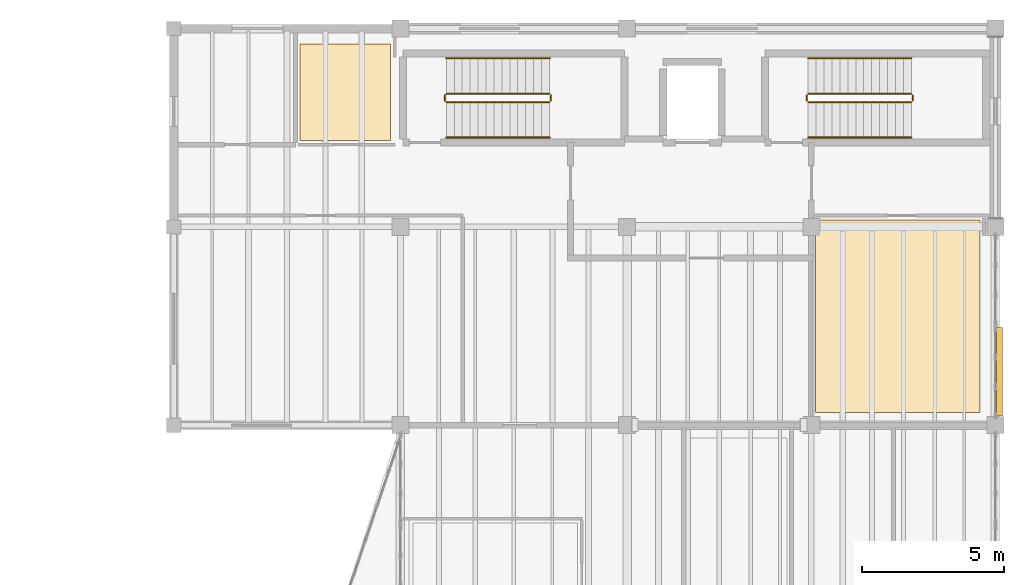
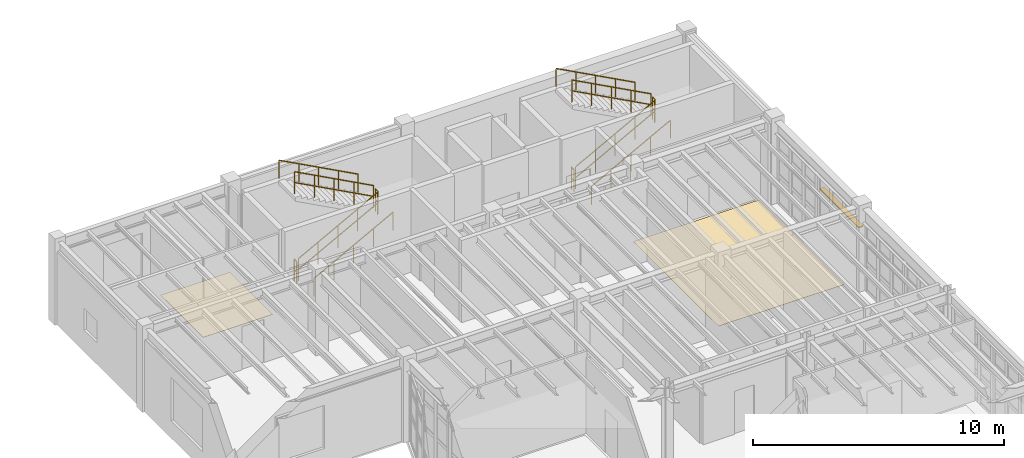
# One storey, part 77 of 77: 12 railings, 2 coverings, 1 shading device.
"""IFC4 building model written with IfcOpenShell, lengths in metres."""

from ifc_helpers import new_model, si_unit, direction, frame, origin, origin_2d, place, context, subcontext, project, spatial, polyline, rectangle, circle, outline, extrude, material, layer, layer_set, type_object, element, save


model = new_model("IFC4")

# Units and contexts
model_context = context("Model", 3, precision=1e-05, world=origin(), true_north=direction((0.0, 1.0)))
body_context = subcontext(model_context, "Body", "Model", "MODEL_VIEW")
ifc_project = project(units=[si_unit("LENGTHUNIT", "METRE"), si_unit("AREAUNIT", "SQUARE_METRE"), si_unit("VOLUMEUNIT", "CUBIC_METRE"), si_unit("PLANEANGLEUNIT", "RADIAN"), si_unit("MASSUNIT", "GRAM", prefix="KILO"), si_unit("THERMODYNAMICTEMPERATUREUNIT", "KELVIN"), si_unit("POWERUNIT", "WATT")], contexts=[model_context])

# Site, building, storey
site_placement = place(None, origin())
site = spatial("IfcSite", under=ifc_project, at=site_placement, CompositionType="ELEMENT")
building_placement = place(site_placement, origin())
building = spatial("IfcBuilding", under=site, at=building_placement, Name="Zhenchuan Central Fire Station", CompositionType="ELEMENT")
storey_placement = place(building_placement, frame((0.0, 0.0, 10.050048828125)))
storey = spatial("IfcBuildingStorey", under=building, at=storey_placement, Name="L03", CompositionType="ELEMENT", Elevation=10.050048828125)

# Coverings
ifc_material_1 = material(Name="Heavy-duty slip-resistant ceramic tile flooring")
ifc_layer_1 = layer(ifc_material_1, 0.014892578125, Name="Heavy-duty slip-resistant ceramic tile flooring")
ifc_layer_set_1 = layer_set([ifc_layer_1], Name="Heavy-duty slip-resistant ceramic tile flooring")
covering_type = type_object("IfcCoveringType", Name="COV-FLR-RES", PredefinedType="FLOORING", material=ifc_layer_set_1)
covering_1_placement = place(storey_placement, origin())
element("IfcCovering", 1, at=covering_1_placement, inside=storey, type_object=covering_type, Name="Standpipe Riser Tactical Bay Ceramic Tile Flooring", PredefinedType="FLOORING", context=body_context, shape_type="SweptSolid", body=[
    extrude(outline(polyline([(154.64990234375, 42.949951171875), (160.449951171875, 42.949951171875), (160.449951171875, 49.75), (154.64990234375, 49.75), (154.64990234375, 42.949951171875)])), origin(), (0.0, 0.0, 1.0), 0.014892578125),
])
covering_2_placement = place(storey_placement, origin())
element("IfcCovering", 2, at=covering_2_placement, inside=storey, type_object=covering_type, Name="Drill Tower Cleaner Store L03 Ceramic Tile Flooring", PredefinedType="FLOORING", context=body_context, shape_type="SweptSolid", body=[
    extrude(outline(polyline([(136.449951171875, 52.550048828125), (139.64990234375, 52.550048828125), (139.64990234375, 55.949951171875), (136.449951171875, 55.949951171875), (136.449951171875, 52.550048828125)])), origin(), (0.0, 0.0, 1.0), 0.014892578125),
])

# Railings
ifc_material_2 = material(Name="Galvanised powder-coated steel", Category="steel")
railing_type_1 = type_object("IfcRailingType", Name="RL-ST-GRD", PredefinedType="GUARDRAIL", material=ifc_material_2)
railing_1_placement = place(storey_placement, frame((141.6201171875, 53.89990234375, 0.14990234375)))
element("IfcRailing", 3, at=railing_1_placement, inside=storey, type_object=railing_type_1, Name="L03 ST-12 stair guard 1", PredefinedType="GUARDRAIL", context=body_context, shape_type="SweptSolid", body=[
    extrude(circle(Radius=0.02392578125, at=origin_2d()), frame((0.0, 0.0, 1.076171875), z_axis=(0.881479091078, 0.0, 0.472223053219), x_axis=(0.0, 1.0, 0.0)), (0.0, 0.0, 1.0), 4.12939453125),
    extrude(circle(Radius=0.02392578125, at=origin_2d()), frame((0.0, 0.0, 0.550048828125), z_axis=(0.881479091078, 0.0, 0.472223053219), x_axis=(0.0, 1.0, 0.0)), (0.0, 0.0, 1.0), 4.12939453125),
    extrude(circle(Radius=0.02099609375, at=origin_2d()), origin(), (0.0, 0.0, 1.0), 1.052001953125),
    extrude(circle(Radius=0.02099609375, at=origin_2d()), frame((0.909912109375, 0.0, 0.487548828125)), (0.0, 0.0, 1.0), 1.052001953125),
    extrude(circle(Radius=0.02099609375, at=origin_2d()), frame((1.81982421875, 0.0, 0.97509765625)), (0.0, 0.0, 1.0), 1.052001953125),
    extrude(circle(Radius=0.02099609375, at=origin_2d()), frame((2.72998046875, 0.0, 1.46240234375)), (0.0, 0.0, 1.0), 1.052001953125),
    extrude(circle(Radius=0.02099609375, at=origin_2d()), frame((3.639892578125, 0.0, 1.949951171875)), (0.0, 0.0, 1.0), 1.052001953125),
])
railing_2_placement = place(storey_placement, frame((145.31005859375, 53.949951171875, 2.099853515625)))
element("IfcRailing", 4, at=railing_2_placement, inside=storey, type_object=railing_type_1, Name="L03 ST-12 stair guard 2", PredefinedType="GUARDRAIL", context=body_context, shape_type="SweptSolid", body=[
    extrude(circle(Radius=0.02392578125, at=origin_2d()), frame((0.0, 0.0, 1.076171875), z_axis=(0.0, 1.0, 0.0), x_axis=(-1.0, 0.0, 0.0)), (0.0, 0.0, 1.0), 0.199951171875),
    extrude(circle(Radius=0.02392578125, at=origin_2d()), frame((0.0, 0.0, 0.550048828125), z_axis=(0.0, 1.0, 0.0), x_axis=(-1.0, 0.0, 0.0)), (0.0, 0.0, 1.0), 0.199951171875),
    extrude(circle(Radius=0.02099609375, at=origin_2d()), origin(), (0.0, 0.0, 1.0), 1.052001953125),
    extrude(circle(Radius=0.02099609375, at=origin_2d()), frame((0.0, 0.199951171875, 0.0)), (0.0, 0.0, 1.0), 1.052001953125),
])
railing_3_placement = place(storey_placement, frame((145.260009765625, 54.199951171875, 2.25)))
element("IfcRailing", 5, at=railing_3_placement, inside=storey, type_object=railing_type_1, Name="L03 ST-12 stair guard 3", PredefinedType="GUARDRAIL", context=body_context, shape_type="SweptSolid", body=[
    extrude(circle(Radius=0.02392578125, at=origin_2d()), frame((0.0, 0.0, 1.076171875), z_axis=(-0.881479091078, 0.0, 0.472223053219), x_axis=(0.0, -1.0, 0.0)), (0.0, 0.0, 1.0), 4.12939453125),
    extrude(circle(Radius=0.02392578125, at=origin_2d()), frame((0.0, 0.0, 0.550048828125), z_axis=(-0.881479091078, 0.0, 0.472223053219), x_axis=(0.0, -1.0, 0.0)), (0.0, 0.0, 1.0), 4.12939453125),
    extrude(circle(Radius=0.02099609375, at=origin_2d()), origin(), (0.0, 0.0, 1.0), 1.052001953125),
    extrude(circle(Radius=0.02099609375, at=origin_2d()), frame((-0.909912109375, 0.0, 0.487548828125)), (0.0, 0.0, 1.0), 1.052001953125),
    extrude(circle(Radius=0.02099609375, at=origin_2d()), frame((-1.81982421875, 0.0, 0.97509765625)), (0.0, 0.0, 1.0), 1.052001953125),
    extrude(circle(Radius=0.02099609375, at=origin_2d()), frame((-2.72998046875, 0.0, 1.46240234375)), (0.0, 0.0, 1.0), 1.052001953125),
    extrude(circle(Radius=0.02099609375, at=origin_2d()), frame((-3.639892578125, 0.0, 1.949951171875)), (0.0, 0.0, 1.0), 1.052001953125),
])
railing_4_placement = place(storey_placement, frame((141.570068359375, 53.949951171875, 0.0)))
element("IfcRailing", 6, at=railing_4_placement, inside=storey, type_object=railing_type_1, Name="L03 ST-12 stair guard 4", PredefinedType="GUARDRAIL", context=body_context, shape_type="SweptSolid", body=[
    extrude(circle(Radius=0.02392578125, at=origin_2d()), frame((0.0, 0.0, 1.076171875), z_axis=(0.0, 1.0, 0.0), x_axis=(-1.0, 0.0, 0.0)), (0.0, 0.0, 1.0), 0.199951171875),
    extrude(circle(Radius=0.02392578125, at=origin_2d()), frame((0.0, 0.0, 0.550048828125), z_axis=(0.0, 1.0, 0.0), x_axis=(-1.0, 0.0, 0.0)), (0.0, 0.0, 1.0), 0.199951171875),
    extrude(circle(Radius=0.02099609375, at=origin_2d()), origin(), (0.0, 0.0, 1.0), 1.052001953125),
    extrude(circle(Radius=0.02099609375, at=origin_2d()), frame((0.0, 0.199951171875, 0.0)), (0.0, 0.0, 1.0), 1.052001953125),
])
railing_5_placement = place(storey_placement, frame((154.389892578125, 53.89990234375, 0.14990234375)))
element("IfcRailing", 7, at=railing_5_placement, inside=storey, type_object=railing_type_1, Name="L03 ST-13 stair guard 1", PredefinedType="GUARDRAIL", context=body_context, shape_type="SweptSolid", body=[
    extrude(circle(Radius=0.02392578125, at=origin_2d()), frame((0.0, 0.0, 1.076171875), z_axis=(0.881492274372, 0.0, 0.472198443689), x_axis=(0.0, 1.0, 0.0)), (0.0, 0.0, 1.0), 4.12939453125),
    extrude(circle(Radius=0.02392578125, at=origin_2d()), frame((0.0, 0.0, 0.550048828125), z_axis=(0.881492274372, 0.0, 0.472198443689), x_axis=(0.0, 1.0, 0.0)), (0.0, 0.0, 1.0), 4.12939453125),
    extrude(circle(Radius=0.02099609375, at=origin_2d()), origin(), (0.0, 0.0, 1.0), 1.052001953125),
    extrude(circle(Radius=0.02099609375, at=origin_2d()), frame((0.91015625, 0.0, 0.487548828125)), (0.0, 0.0, 1.0), 1.052001953125),
    extrude(circle(Radius=0.02099609375, at=origin_2d()), frame((1.820068359375, 0.0, 0.97509765625)), (0.0, 0.0, 1.0), 1.052001953125),
    extrude(circle(Radius=0.02099609375, at=origin_2d()), frame((2.72998046875, 0.0, 1.46240234375)), (0.0, 0.0, 1.0), 1.052001953125),
    extrude(circle(Radius=0.02099609375, at=origin_2d()), frame((3.64013671875, 0.0, 1.949951171875)), (0.0, 0.0, 1.0), 1.052001953125),
])
railing_6_placement = place(storey_placement, frame((158.080078125, 53.949951171875, 2.099853515625)))
element("IfcRailing", 8, at=railing_6_placement, inside=storey, type_object=railing_type_1, Name="L03 ST-13 stair guard 2", PredefinedType="GUARDRAIL", context=body_context, shape_type="SweptSolid", body=[
    extrude(circle(Radius=0.02392578125, at=origin_2d()), frame((0.0, 0.0, 1.076171875), z_axis=(0.0, 1.0, 0.0), x_axis=(-1.0, 0.0, 0.0)), (0.0, 0.0, 1.0), 0.199951171875),
    extrude(circle(Radius=0.02392578125, at=origin_2d()), frame((0.0, 0.0, 0.550048828125), z_axis=(0.0, 1.0, 0.0), x_axis=(-1.0, 0.0, 0.0)), (0.0, 0.0, 1.0), 0.199951171875),
    extrude(circle(Radius=0.02099609375, at=origin_2d()), origin(), (0.0, 0.0, 1.0), 1.052001953125),
    extrude(circle(Radius=0.02099609375, at=origin_2d()), frame((0.0, 0.199951171875, 0.0)), (0.0, 0.0, 1.0), 1.052001953125),
])
railing_7_placement = place(storey_placement, frame((158.030029296875, 54.199951171875, 2.25)))
element("IfcRailing", 9, at=railing_7_placement, inside=storey, type_object=railing_type_1, Name="L03 ST-13 stair guard 3", PredefinedType="GUARDRAIL", context=body_context, shape_type="SweptSolid", body=[
    extrude(circle(Radius=0.02392578125, at=origin_2d()), frame((0.0, 0.0, 1.076171875), z_axis=(-0.881492274372, 0.0, 0.472198443689), x_axis=(0.0, -1.0, 0.0)), (0.0, 0.0, 1.0), 4.12939453125),
    extrude(circle(Radius=0.02392578125, at=origin_2d()), frame((0.0, 0.0, 0.550048828125), z_axis=(-0.881492274372, 0.0, 0.472198443689), x_axis=(0.0, -1.0, 0.0)), (0.0, 0.0, 1.0), 4.12939453125),
    extrude(circle(Radius=0.02099609375, at=origin_2d()), origin(), (0.0, 0.0, 1.0), 1.052001953125),
    extrude(circle(Radius=0.02099609375, at=origin_2d()), frame((-0.91015625, 0.0, 0.487548828125)), (0.0, 0.0, 1.0), 1.052001953125),
    extrude(circle(Radius=0.02099609375, at=origin_2d()), frame((-1.820068359375, 0.0, 0.97509765625)), (0.0, 0.0, 1.0), 1.052001953125),
    extrude(circle(Radius=0.02099609375, at=origin_2d()), frame((-2.72998046875, 0.0, 1.46240234375)), (0.0, 0.0, 1.0), 1.052001953125),
    extrude(circle(Radius=0.02099609375, at=origin_2d()), frame((-3.64013671875, 0.0, 1.949951171875)), (0.0, 0.0, 1.0), 1.052001953125),
])
railing_8_placement = place(storey_placement, frame((154.340087890625, 53.949951171875, 0.0)))
element("IfcRailing", 10, at=railing_8_placement, inside=storey, type_object=railing_type_1, Name="L03 ST-13 stair guard 4", PredefinedType="GUARDRAIL", context=body_context, shape_type="SweptSolid", body=[
    extrude(circle(Radius=0.02392578125, at=origin_2d()), frame((0.0, 0.0, 1.076171875), z_axis=(0.0, 1.0, 0.0), x_axis=(-1.0, 0.0, 0.0)), (0.0, 0.0, 1.0), 0.199951171875),
    extrude(circle(Radius=0.02392578125, at=origin_2d()), frame((0.0, 0.0, 0.550048828125), z_axis=(0.0, 1.0, 0.0), x_axis=(-1.0, 0.0, 0.0)), (0.0, 0.0, 1.0), 0.199951171875),
    extrude(circle(Radius=0.02099609375, at=origin_2d()), origin(), (0.0, 0.0, 1.0), 1.052001953125),
    extrude(circle(Radius=0.02099609375, at=origin_2d()), frame((0.0, 0.199951171875, 0.0)), (0.0, 0.0, 1.0), 1.052001953125),
])
ifc_material_3 = material(Name="Brushed stainless steel handrail", Category="steel")
railing_type_2 = type_object("IfcRailingType", Name="RL-ST-HND", PredefinedType="HANDRAIL", material=ifc_material_3)
railing_9_placement = place(storey_placement, frame((141.6201171875, 52.64990234375, 0.14990234375)))
element("IfcRailing", 11, at=railing_9_placement, inside=storey, type_object=railing_type_2, Name="L03 ST-12 stair handrail 1", PredefinedType="HANDRAIL", context=body_context, shape_type="SweptSolid", body=[
    extrude(circle(Radius=0.02392578125, at=origin_2d()), frame((0.0, 0.0, 0.8759765625), z_axis=(0.881479091078, 0.0, 0.472223053219), x_axis=(0.0, 1.0, 0.0)), (0.0, 0.0, 1.0), 4.12939453125),
    extrude(circle(Radius=0.02099609375, at=origin_2d()), origin(), (0.0, 0.0, 1.0), 0.851806640625),
    extrude(circle(Radius=0.02099609375, at=origin_2d()), frame((0.909912109375, 0.0, 0.487548828125)), (0.0, 0.0, 1.0), 0.851806640625),
    extrude(circle(Radius=0.02099609375, at=origin_2d()), frame((1.81982421875, 0.0, 0.97509765625)), (0.0, 0.0, 1.0), 0.851806640625),
    extrude(circle(Radius=0.02099609375, at=origin_2d()), frame((2.72998046875, 0.0, 1.46240234375)), (0.0, 0.0, 1.0), 0.851806640625),
    extrude(circle(Radius=0.02099609375, at=origin_2d()), frame((3.639892578125, 0.0, 1.949951171875)), (0.0, 0.0, 1.0), 0.851806640625),
])
railing_10_placement = place(storey_placement, frame((145.260009765625, 55.449951171875, 2.25)))
element("IfcRailing", 12, at=railing_10_placement, inside=storey, type_object=railing_type_2, Name="L03 ST-12 stair handrail 2", PredefinedType="HANDRAIL", context=body_context, shape_type="SweptSolid", body=[
    extrude(circle(Radius=0.02392578125, at=origin_2d()), frame((0.0, 0.0, 0.8759765625), z_axis=(-0.881479091078, 0.0, 0.472223053219), x_axis=(0.0, -1.0, 0.0)), (0.0, 0.0, 1.0), 4.12939453125),
    extrude(circle(Radius=0.02099609375, at=origin_2d()), origin(), (0.0, 0.0, 1.0), 0.851806640625),
    extrude(circle(Radius=0.02099609375, at=origin_2d()), frame((-0.909912109375, 0.0, 0.487548828125)), (0.0, 0.0, 1.0), 0.851806640625),
    extrude(circle(Radius=0.02099609375, at=origin_2d()), frame((-1.81982421875, 0.0, 0.97509765625)), (0.0, 0.0, 1.0), 0.851806640625),
    extrude(circle(Radius=0.02099609375, at=origin_2d()), frame((-2.72998046875, 0.0, 1.46240234375)), (0.0, 0.0, 1.0), 0.851806640625),
    extrude(circle(Radius=0.02099609375, at=origin_2d()), frame((-3.639892578125, 0.0, 1.949951171875)), (0.0, 0.0, 1.0), 0.851806640625),
])
railing_11_placement = place(storey_placement, frame((154.389892578125, 52.64990234375, 0.14990234375)))
element("IfcRailing", 13, at=railing_11_placement, inside=storey, type_object=railing_type_2, Name="L03 ST-13 stair handrail 1", PredefinedType="HANDRAIL", context=body_context, shape_type="SweptSolid", body=[
    extrude(circle(Radius=0.02392578125, at=origin_2d()), frame((0.0, 0.0, 0.8759765625), z_axis=(0.881492274372, 0.0, 0.472198443689), x_axis=(0.0, 1.0, 0.0)), (0.0, 0.0, 1.0), 4.12939453125),
    extrude(circle(Radius=0.02099609375, at=origin_2d()), origin(), (0.0, 0.0, 1.0), 0.851806640625),
    extrude(circle(Radius=0.02099609375, at=origin_2d()), frame((0.91015625, 0.0, 0.487548828125)), (0.0, 0.0, 1.0), 0.851806640625),
    extrude(circle(Radius=0.02099609375, at=origin_2d()), frame((1.820068359375, 0.0, 0.97509765625)), (0.0, 0.0, 1.0), 0.851806640625),
    extrude(circle(Radius=0.02099609375, at=origin_2d()), frame((2.72998046875, 0.0, 1.46240234375)), (0.0, 0.0, 1.0), 0.851806640625),
    extrude(circle(Radius=0.02099609375, at=origin_2d()), frame((3.64013671875, 0.0, 1.949951171875)), (0.0, 0.0, 1.0), 0.851806640625),
])
railing_12_placement = place(storey_placement, frame((158.030029296875, 55.449951171875, 2.25)))
element("IfcRailing", 14, at=railing_12_placement, inside=storey, type_object=railing_type_2, Name="L03 ST-13 stair handrail 2", PredefinedType="HANDRAIL", context=body_context, shape_type="SweptSolid", body=[
    extrude(circle(Radius=0.02392578125, at=origin_2d()), frame((0.0, 0.0, 0.8759765625), z_axis=(-0.881492274372, 0.0, 0.472198443689), x_axis=(0.0, -1.0, 0.0)), (0.0, 0.0, 1.0), 4.12939453125),
    extrude(circle(Radius=0.02099609375, at=origin_2d()), origin(), (0.0, 0.0, 1.0), 0.851806640625),
    extrude(circle(Radius=0.02099609375, at=origin_2d()), frame((-0.91015625, 0.0, 0.487548828125)), (0.0, 0.0, 1.0), 0.851806640625),
    extrude(circle(Radius=0.02099609375, at=origin_2d()), frame((-1.820068359375, 0.0, 0.97509765625)), (0.0, 0.0, 1.0), 0.851806640625),
    extrude(circle(Radius=0.02099609375, at=origin_2d()), frame((-2.72998046875, 0.0, 1.46240234375)), (0.0, 0.0, 1.0), 0.851806640625),
    extrude(circle(Radius=0.02099609375, at=origin_2d()), frame((-3.64013671875, 0.0, 1.949951171875)), (0.0, 0.0, 1.0), 0.851806640625),
])

# Shading device
ifc_material_4 = material(Name="Anodised aluminium EN AW-6063", Category="aluminium")
ifc_layer_2 = layer(ifc_material_4, 0.0400390625, Name="Anodised aluminium EN AW-6063", Category="aluminium")
ifc_layer_set_2 = layer_set([ifc_layer_2], Name="Anodised aluminium EN AW-6063")
shading_device_type = type_object("IfcShadingDeviceType", Name="SHD-ALU-FIN", PredefinedType="JALOUSIE", material=ifc_layer_set_2)
shading_device_placement = place(storey_placement, frame((161.1435546875, 44.381103515625, 2.62939453125), z_axis=(0.0, 0.0, 1.0), x_axis=(0.0, 1.0, 0.0)))
element("IfcShadingDevice", 15, at=shading_device_placement, inside=storey, type_object=shading_device_type, Name="Perforated Aluminium Sun-Shading Louvre 019", PredefinedType="JALOUSIE", context=body_context, shape_type="SweptSolid", body=[
    extrude(rectangle(XDim=3.1220703125, YDim=0.219970703125, at=origin_2d()), origin(), (0.0, 0.0, 1.0), 0.044921875),
])

save(model, "model.ifc")
